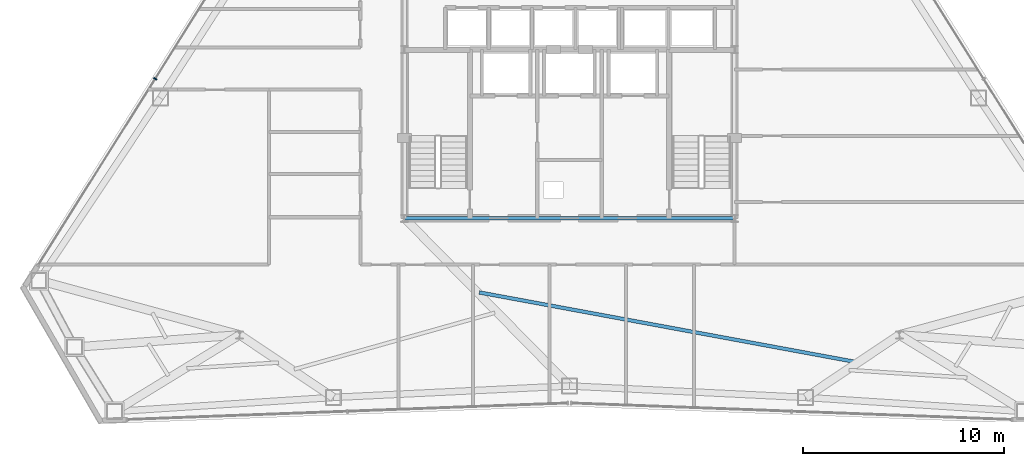
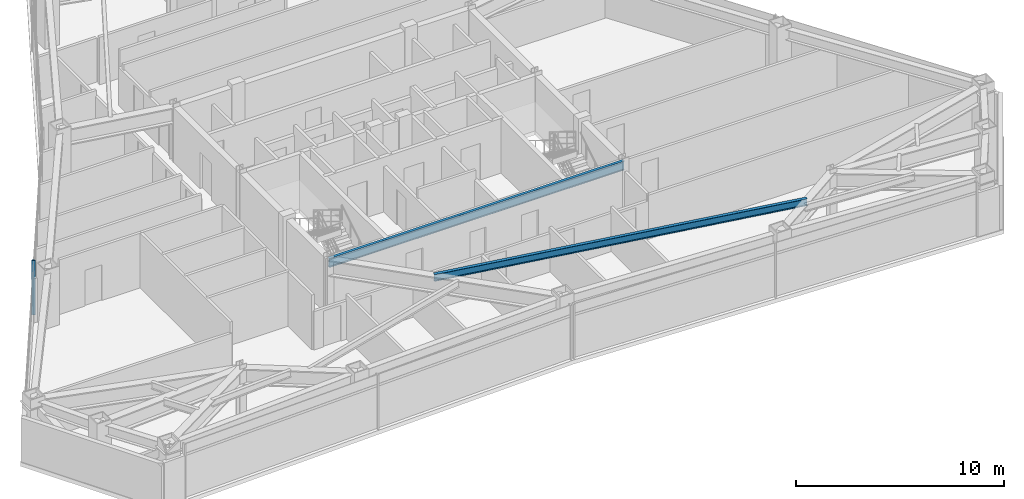
# One storey, part 4 of 13: 2 beams, 1 member, 1 element without a shape of its own.
"""IFC4 building model written with IfcOpenShell, lengths in metres."""

from ifc_helpers import new_model, si_unit, direction, frame, origin, origin_2d, place, context, subcontext, project, spatial, rectangle, i_section, extrude, source, transform, mapped, material, layer, layer_set, material_profile, profile_set, type_object, type_shapes, element, aggregate, save


model = new_model("IFC4")

# Units and contexts
model_context = context("Model", 3, precision=1e-05, world=origin(), true_north=direction((0.0, 1.0)))
body_context = subcontext(model_context, "Body", "Model", "MODEL_VIEW")
ifc_project = project(units=[si_unit("LENGTHUNIT", "METRE"), si_unit("AREAUNIT", "SQUARE_METRE"), si_unit("VOLUMEUNIT", "CUBIC_METRE"), si_unit("PLANEANGLEUNIT", "RADIAN"), si_unit("MASSUNIT", "GRAM", prefix="KILO")], contexts=[model_context])

# Site, building, storey
site_placement = place(None, origin())
site = spatial("IfcSite", under=ifc_project, at=site_placement, CompositionType="ELEMENT")
building_placement = place(site_placement, origin())
building = spatial("IfcBuilding", under=site, at=building_placement, Name="Varakhsha Concourse Tower", CompositionType="ELEMENT")
storey_placement = place(building_placement, frame((0.0, 0.0, 172.35009765625)))
storey = spatial("IfcBuildingStorey", under=building, at=storey_placement, Name="L49", CompositionType="ELEMENT", Elevation=172.35009765625)

# Beams
ifc_material_1 = material(Name="Structural Steel ASTM A992 Grade 50", Category="steel")
ifc_material_profile_1 = material_profile(ifc_material_1, i_section(OverallWidth=0.177978515625, OverallDepth=0.406982421875, WebThickness=0.008056640625, FlangeThickness=0.012939453125, at=origin_2d()), Name="W16X40")
ifc_profile_set_1 = profile_set([ifc_material_profile_1], Name="Structural Steel ASTM A992 Grade 50")
beam_type_1 = type_object("IfcBeamType", Name="BM-JST-W16X40", PredefinedType="JOIST", material=ifc_profile_set_1)
beam_1_placement = place(storey_placement, frame((35.51611328125, 12.7109375, 3.00634765625), z_axis=(0.983366824826, -0.181630635719, 0.0), x_axis=(0.181630635719, 0.983366824826, 0.0)))
element("IfcBeam", 1, at=beam_1_placement, inside=storey, type_object=beam_type_1, Name="BM-TJST-L49-11", PredefinedType="JOIST", context=body_context, shape_type="SweptSolid", body=[
    extrude(i_section(OverallWidth=0.177978515625, OverallDepth=0.406982421875, WebThickness=0.008056640625, FlangeThickness=0.012939453125, at=origin_2d()), origin(), (0.0, 0.0, 1.0), 19.0439453125),
])
ifc_material_profile_2 = material_profile(ifc_material_1, i_section(OverallWidth=0.1669921875, OverallDepth=0.534912109375, WebThickness=0.010009765625, FlangeThickness=0.01708984375, at=origin_2d()), Name="W21X57")
ifc_profile_set_2 = profile_set([ifc_material_profile_2], Name="Structural Steel ASTM A992 Grade 50")
beam_type_2 = type_object("IfcBeamType", Name="BM-RAD-W21X57", PredefinedType="BEAM", material=ifc_profile_set_2)
beam_2_placement = place(storey_placement, frame((31.800048828125, 16.39990234375, 2.9423828125), z_axis=(1.0, 0.0, 0.0), x_axis=(0.0, 1.0, 0.0)))
element("IfcBeam", 2, at=beam_2_placement, inside=storey, type_object=beam_type_2, Name="BM-TCORE-L49-CS", PredefinedType="BEAM", context=body_context, shape_type="SweptSolid", body=[
    extrude(i_section(OverallWidth=0.1669921875, OverallDepth=0.534912109375, WebThickness=0.010009765625, FlangeThickness=0.01708984375, at=origin_2d()), origin(), (0.0, 0.0, 1.0), 16.39990234375),
])

# Curtain wall, member
ifc_material_2 = material(Name="Anodised Bronze Architectural Aluminium AA 6063-T6", Category="aluminium")
ifc_layer = layer(ifc_material_2, 0.2099609375, Name="CW-SYS-04")
ifc_layer_set = layer_set([ifc_layer], Name="Anodised Bronze Architectural Aluminium AA 6063-T6")
curtain_wall_type = type_object("IfcCurtainWallType", Name="CW-SYS-04", PredefinedType="NOTDEFINED", material=ifc_layer_set)
curtain_wall_placement = place(storey_placement, origin())
curtain_wall = element("IfcCurtainWall", 3, at=curtain_wall_placement, inside=storey, type_object=curtain_wall_type, Name="L49 Crystal Curtain Wall F3", PredefinedType="NOTDEFINED")
ifc_material_profile_3 = material_profile(ifc_material_2, rectangle(XDim=0.06494140625, YDim=0.179931640625, at=origin_2d()), Name="CWM-180X65")
ifc_profile_set_3 = profile_set([ifc_material_profile_3], Name="Anodised Bronze Architectural Aluminium AA 6063-T6")
member_type = type_object("IfcMemberType", Name="CWM-180X65", PredefinedType="MULLION", material=ifc_profile_set_3)
shared_shape = source(origin(), body_context, "Body", "SweptSolid", [
    extrude(rectangle(XDim=0.06494140625, YDim=0.179931640625, at=origin_2d()), origin(), (0.0, 0.0, 1.0), 3.2099609375),
])
type_shapes(member_type, [shared_shape])
member_placement = place(storey_placement, frame((19.40380859375, 23.333984375, 0.0), z_axis=(0.0, 0.0, 1.0), x_axis=(0.532022365141, 0.846730301212, 0.0)))
member = element("IfcMember", 4, at=member_placement, type_object=member_type, Name="CW-L49-F3 Mullion 01", PredefinedType="MULLION", context=body_context, shape_type="MappedRepresentation", body=[
    mapped(shared_shape, transform((0.0, 0.0, 0.0), scale=1.0)),
])
aggregate(curtain_wall, [member])

save(model, "model.ifc")
